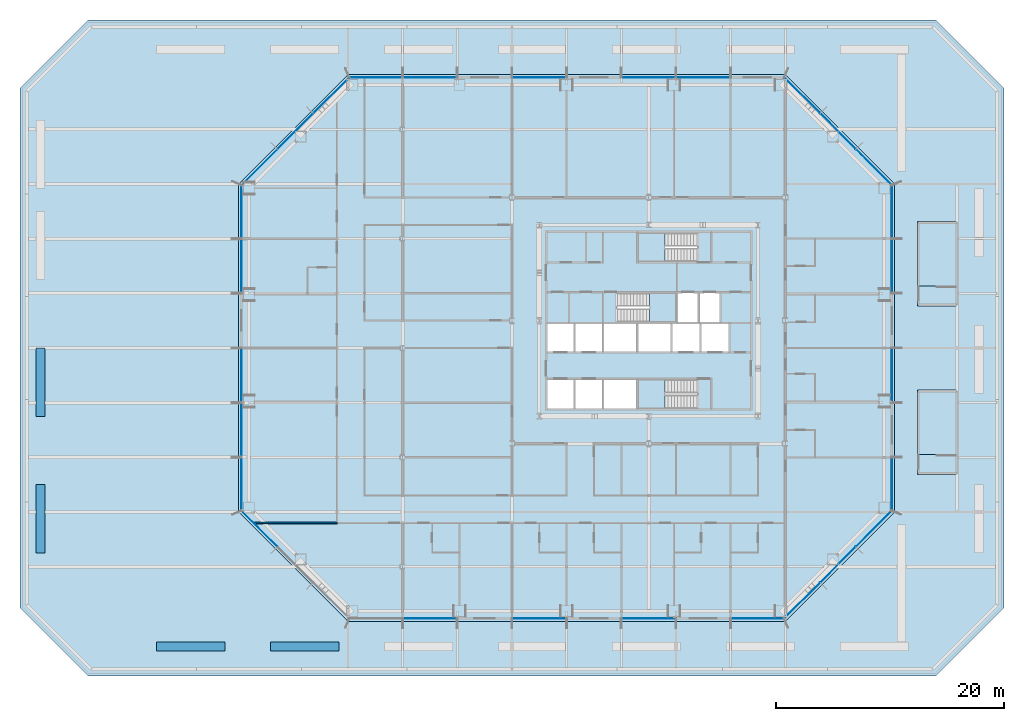
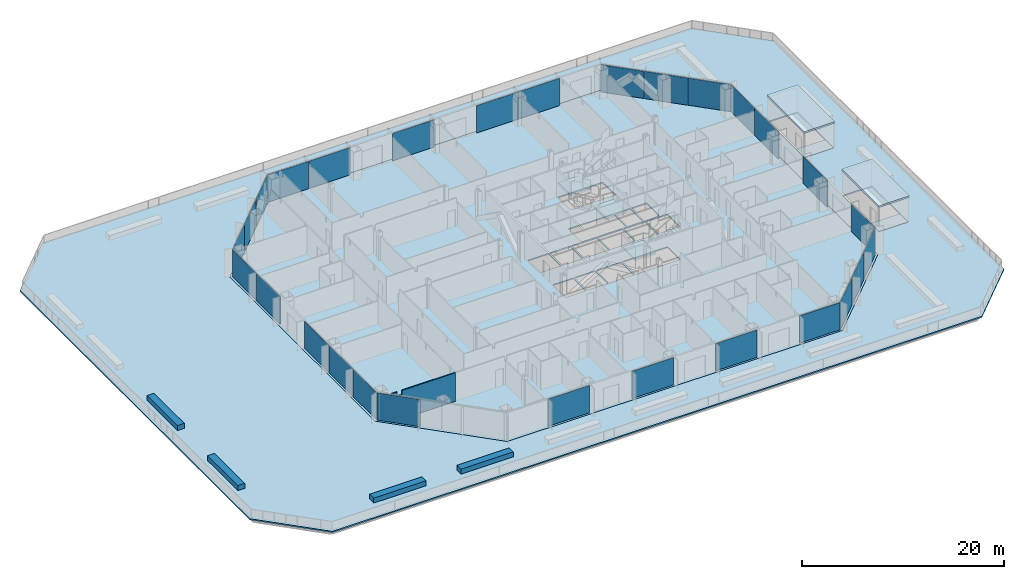
# One storey, part 7 of 18: 28 plates, 9 slabs, 5 walls, 11 elements without a shape of their own.
"""IFC4 building model written with IfcOpenShell, lengths in metres."""

import ifcopenshell
import ifcopenshell.guid

model = None  # the IFC model being written
_history = None  # IfcOwnerHistory: only IFC2X3 demands one
_inside = {}  # id of a spatial element -> (the spatial element, [elements in it])
_under = {}  # id of a project, library or spatial element -> (it, [spatial elements below it])
_declared = {}  # id of a project -> (the project, [libraries it declares])
_typed = {}  # id of a type object -> (the type object, [elements of that type])
_made_of = {}  # id of a material, layer set ... -> (it, [elements and type objects made of it])


def new_model(schema):
    """Start an empty IFC model of exactly this schema.

    Asked for "IFC4X3", IfcOpenShell would pick the latest addendum, in which some entities
    have other attributes; the version numbers below select the first issue.
    IFC2X3 requires an IfcOwnerHistory on every rooted entity: one is made here for all.
    """
    global model, _history
    if schema == "IFC4X3":
        model = ifcopenshell.file(schema_version=(4, 3, 0, 0))
    else:
        model = ifcopenshell.file(schema=schema)
    _inside.clear()
    _under.clear()
    _declared.clear()
    _typed.clear()
    _made_of.clear()
    _history = None
    if model.schema == "IFC2X3":
        org = make("IfcOrganization", Name="unknown")
        user = make(
            "IfcPersonAndOrganization",
            ThePerson=make("IfcPerson", FamilyName="unknown"),
            TheOrganization=org,
        )
        app = make(
            "IfcApplication",
            ApplicationDeveloper=org,
            Version="unknown",
            ApplicationFullName="unknown",
            ApplicationIdentifier="unknown",
        )
        _history = make(
            "IfcOwnerHistory",
            OwningUser=user,
            OwningApplication=app,
            ChangeAction="ADDED",
            CreationDate=0,
        )
    return model


def make(cls, **values):
    """One entity of the class cls with the attributes given. An attribute that is None is left unset."""
    return model.create_entity(
        cls, **{name: value for name, value in values.items() if value is not None}
    )


def rooted(cls, **values):
    """An entity with a GlobalId (a new one), such as an element, a storey or a relation."""
    return make(cls, GlobalId=ifcopenshell.guid.new(), OwnerHistory=_history, **values)


def si_unit(unit_type, name, prefix=None):
    """IfcSIUnit, for example si_unit("LENGTHUNIT", "METRE", prefix="MILLI")."""
    return make("IfcSIUnit", UnitType=unit_type, Prefix=prefix, Name=name)


def assignment(units):
    """IfcUnitAssignment: the units of a project."""
    return None if units is None else make("IfcUnitAssignment", Units=units)


def point(xyz):
    """IfcCartesianPoint."""
    return None if xyz is None else make("IfcCartesianPoint", Coordinates=xyz)


def direction(xyz):
    """IfcDirection."""
    return None if xyz is None else make("IfcDirection", DirectionRatios=xyz)


def frame(location, z_axis=None, x_axis=None):
    """IfcAxis2Placement3D, a coordinate frame: its origin and axes. An axis left out is left unset."""
    return make(
        "IfcAxis2Placement3D",
        Location=point(location),
        Axis=direction(z_axis),
        RefDirection=direction(x_axis),
    )


def frame_2d(location, x_axis=None):
    """IfcAxis2Placement2D, a coordinate frame in the plane: its origin and x axis."""
    return make(
        "IfcAxis2Placement2D", Location=point(location), RefDirection=direction(x_axis)
    )


def origin():
    """The frame at (0, 0, 0) with its axes left unset."""
    return frame((0.0, 0.0, 0.0))


def origin_2d():
    """The frame at (0, 0) in the plane with its x axis left unset."""
    return frame_2d((0.0, 0.0))


def place(relative_to, where):
    """IfcLocalPlacement: puts the frame where relative to a parent placement (None: the world)."""
    return make(
        "IfcLocalPlacement", PlacementRelTo=relative_to, RelativePlacement=where
    )


def context(
    kind, dimensions, precision=None, world=None, true_north=None, identifier=None
):
    """IfcGeometricRepresentationContext, for example the 3D "Model" context."""
    return make(
        "IfcGeometricRepresentationContext",
        ContextIdentifier=identifier,
        ContextType=kind,
        CoordinateSpaceDimension=dimensions,
        Precision=precision,
        WorldCoordinateSystem=world,
        TrueNorth=true_north,
    )


def subcontext(parent, identifier, kind, view, scale=None):
    """IfcGeometricRepresentationSubContext, for example "Body" below "Model"."""
    return make(
        "IfcGeometricRepresentationSubContext",
        ContextIdentifier=identifier,
        ContextType=kind,
        ParentContext=parent,
        TargetScale=scale,
        TargetView=view,
    )


def project(units=None, contexts=None):
    """IfcProject with its units and contexts."""
    return rooted(
        "IfcProject",
        Name="project",
        RepresentationContexts=contexts,
        UnitsInContext=assignment(units),
    )


def spatial(cls, under=None, at=None, **own):
    """A site, building, storey or space (cls), placed at a placement, below another one or the project."""
    s = rooted(cls, ObjectPlacement=at, **own)
    if under is not None:
        _under.setdefault(under.id(), (under, []))[1].append(s)
    return s


def polyline(points):
    """IfcPolyline through the points."""
    return make("IfcPolyline", Points=[point(p) for p in points])


def profile(cls, at=None, kind="AREA", **sizes):
    """A parametric profile (cls). Its sizes go by their IFC names, for example OverallWidth=200.0."""
    return make(cls, ProfileType=kind, Position=at, **sizes)


def rectangle(**sizes):
    """IfcRectangleProfileDef."""
    return profile("IfcRectangleProfileDef", **sizes)


def outline(outer, holes=None, kind="AREA"):
    """IfcArbitraryClosedProfileDef: a profile drawn as a closed curve; with holes, ...WithVoids."""
    if holes is None:
        return make("IfcArbitraryClosedProfileDef", ProfileType=kind, OuterCurve=outer)
    return make(
        "IfcArbitraryProfileDefWithVoids",
        ProfileType=kind,
        OuterCurve=outer,
        InnerCurves=holes,
    )


def extrude(swept, where, along, depth):
    """IfcExtrudedAreaSolid: the profile swept, set in the frame where, extruded along a direction by depth."""
    return make(
        "IfcExtrudedAreaSolid",
        SweptArea=swept,
        Position=where,
        ExtrudedDirection=direction(along),
        Depth=depth,
    )


def shape(context_of_items, identifier, shape_type, items):
    """IfcShapeRepresentation: the items that make up one representation, for example the "Body"."""
    return make(
        "IfcShapeRepresentation",
        ContextOfItems=context_of_items,
        RepresentationIdentifier=identifier,
        RepresentationType=shape_type,
        Items=items,
    )


def material(Name=None, Category=None):
    """IfcMaterial."""
    return make("IfcMaterial", Name=Name, Category=Category)


def layer(
    of_material, thickness, ventilated=None, Name=None, Category=None, Priority=None
):
    """IfcMaterialLayer: one layer of a wall or slab, of a material (None: an air gap)."""
    return make(
        "IfcMaterialLayer",
        Material=of_material,
        LayerThickness=thickness,
        IsVentilated=ventilated,
        Name=Name,
        Category=Category,
        Priority=Priority,
    )


def layer_set(layers, Name=None):
    """IfcMaterialLayerSet."""
    return make("IfcMaterialLayerSet", MaterialLayers=layers, LayerSetName=Name)


def made_of(thing, what):
    """Note that an element or type object is made of a material, layer set ...; save() writes the relation."""
    if what is not None:
        _made_of.setdefault(what.id(), (what, []))[1].append(thing)
    return thing


def type_object(cls, material=None, **own):
    """A type object (cls), such as IfcWallType, which elements share."""
    return made_of(rooted(cls, **own), material)


def element(
    cls,
    number,
    at=None,
    inside=None,
    cuts=None,
    type_object=None,
    material=None,
    context=None,
    identifier="Body",
    shape_type=None,
    held_by="IfcProductDefinitionShape",
    body=None,
    shapes=None,
    **own,
):
    """One element of the class cls, such as IfcWall. Its Tag is "e" and its number.

    at: its placement. inside: the storey or other place that contains it. cuts: it is an
    opening in that element (IfcRelVoidsElement). A single representation is given by context,
    identifier, shape_type and body (its items); several are given by shapes. held_by: the class
    of the entity that holds the representations. save() writes the other relations.
    """
    e = rooted(cls, Tag="e%d" % number, ObjectPlacement=at, **own)
    if body is not None:
        shapes = [shape(context, identifier, shape_type, body)]
    if shapes is not None:
        e.Representation = make(held_by, Representations=shapes)
    if inside is not None:
        _inside.setdefault(inside.id(), (inside, []))[1].append(e)
    if cuts is not None:
        rooted(
            "IfcRelVoidsElement", RelatingBuildingElement=cuts, RelatedOpeningElement=e
        )
    if type_object is not None:
        _typed.setdefault(type_object.id(), (type_object, []))[1].append(e)
    return made_of(e, material)


def aggregate(whole, parts):
    """IfcRelAggregates: a whole, such as a stair, and the parts it consists of."""
    return rooted("IfcRelAggregates", RelatingObject=whole, RelatedObjects=parts)


def save(model, path):
    """Write the relations noted so far, then the file.

    IfcRelAggregates (storeys below a building ...), IfcRelContainedInSpatialStructure (elements
    in a storey), IfcRelDefinesByType, IfcRelAssociatesMaterial and IfcRelDeclares: one each for
    every whole, place, type object, material and project.
    """
    for whole, parts in _under.values():
        aggregate(whole, parts)
    for where, things in _inside.values():
        rooted(
            "IfcRelContainedInSpatialStructure",
            RelatedElements=things,
            RelatingStructure=where,
        )
    for kind, things in _typed.values():
        rooted("IfcRelDefinesByType", RelatedObjects=things, RelatingType=kind)
    for what, things in _made_of.values():
        rooted("IfcRelAssociatesMaterial", RelatedObjects=things, RelatingMaterial=what)
    for by, libraries in _declared.values():
        rooted("IfcRelDeclares", RelatingContext=by, RelatedDefinitions=libraries)
    model.write(path)


model = new_model("IFC4")

# Units and contexts
model_context = context("Model", 3, precision=1e-05, world=origin(), true_north=direction((0.0, 1.0)))
body_context = subcontext(model_context, "Body", "Model", "MODEL_VIEW")
ifc_project = project(units=[si_unit("LENGTHUNIT", "METRE"), si_unit("AREAUNIT", "SQUARE_METRE"), si_unit("VOLUMEUNIT", "CUBIC_METRE"), si_unit("PLANEANGLEUNIT", "RADIAN"), si_unit("MASSUNIT", "GRAM", prefix="KILO")], contexts=[model_context])

# Site, building, storey
site_placement = place(None, origin())
site = spatial("IfcSite", under=ifc_project, at=site_placement, CompositionType="ELEMENT")
building_placement = place(site_placement, origin())
building = spatial("IfcBuilding", under=site, at=building_placement, Name="Cairn Pilgrim Tower", CompositionType="ELEMENT")
storey_placement = place(building_placement, frame((0.0, 0.0, 40.199951171875)))
storey = spatial("IfcBuildingStorey", under=building, at=storey_placement, Name="L07", CompositionType="ELEMENT", Elevation=40.199951171875)

# Slabs
ifc_material_1 = material(Name="Concrete C35/45", Category="concrete")
ifc_layer_1 = layer(ifc_material_1, 0.14990234375)
ifc_layer_set_1 = layer_set([ifc_layer_1], Name="COMPOSITE FLOOR SLAB 150")
slab_type_1 = type_object("IfcSlabType", Name="COMPOSITE FLOOR SLAB 150", PredefinedType="FLOOR", material=ifc_layer_set_1)
slab_1_placement = place(storey_placement, frame((0.0, 0.0, -0.14990234375)))
element("IfcSlab", 1, at=slab_1_placement, inside=storey, type_object=slab_type_1, Name="FLOOR SLAB L07", PredefinedType="FLOOR", context=body_context, shape_type="SweptSolid", body=[
    extrude(outline(polyline([(-19.199951171875, -24.0), (19.199951171875, -24.0), (28.800048828125, -14.39990234375), (28.800048828125, 14.39990234375), (19.199951171875, 24.0), (-19.199951171875, 24.0), (-28.800048828125, 14.39990234375), (-28.800048828125, -14.39990234375), (-19.199951171875, -24.0)]), holes=[polyline([(-1.72509765625, -5.300048828125), (0.625, -5.300048828125), (0.625, -2.77490234375), (-1.72509765625, -2.77490234375), (-1.72509765625, -5.300048828125)]), polyline([(0.77490234375, -5.300048828125), (3.125, -5.300048828125), (3.125, -2.77490234375), (0.77490234375, -2.77490234375), (0.77490234375, -5.300048828125)]), polyline([(-1.72509765625, -0.324951171875), (0.625, -0.324951171875), (0.625, 2.125), (-1.72509765625, 2.125), (-1.72509765625, -0.324951171875)]), polyline([(0.77490234375, -0.324951171875), (3.125, -0.324951171875), (3.125, 2.125), (0.77490234375, 2.125), (0.77490234375, -0.324951171875)]), polyline([(3.27490234375, -5.300048828125), (6.125, -5.300048828125), (6.125, -2.77490234375), (3.27490234375, -2.77490234375), (3.27490234375, -5.300048828125)]), polyline([(3.27490234375, -0.324951171875), (6.125, -0.324951171875), (6.125, 2.125), (3.27490234375, 2.125), (3.27490234375, -0.324951171875)]), polyline([(6.27490234375, -0.324951171875), (9.125, -0.324951171875), (9.125, 2.125), (6.27490234375, 2.125), (6.27490234375, -0.324951171875)]), polyline([(9.27490234375, -0.324951171875), (11.675048828125, -0.324951171875), (11.675048828125, 2.125), (9.27490234375, 2.125), (9.27490234375, -0.324951171875)]), polyline([(11.824951171875, -0.324951171875), (14.22509765625, -0.324951171875), (14.22509765625, 2.125), (11.824951171875, 2.125), (11.824951171875, -0.324951171875)]), polyline([(9.77490234375, 2.27490234375), (11.52490234375, 2.27490234375), (11.52490234375, 4.824951171875), (9.77490234375, 4.824951171875), (9.77490234375, 2.27490234375)]), polyline([(11.675048828125, 2.27490234375), (13.425048828125, 2.27490234375), (13.425048828125, 4.824951171875), (11.675048828125, 4.824951171875), (11.675048828125, 2.27490234375)]), polyline([(11.424560546875, -2.77490234375), (6.27490234375, -2.77490234375), (6.27490234375, -5.300048828125), (11.424560546875, -5.300048828125), (11.424560546875, -2.77490234375)]), polyline([(4.4755859375, 2.27490234375), (9.625, 2.27490234375), (9.625, 4.824951171875), (4.4755859375, 4.824951171875), (4.4755859375, 2.27490234375)]), polyline([(11.424560546875, 10.10009765625), (6.27490234375, 10.10009765625), (6.27490234375, 7.574951171875), (11.424560546875, 7.574951171875), (11.424560546875, 10.10009765625)])]), origin(), (0.0, 0.0, 1.0), 0.14990234375),
])
ifc_layer_2 = layer(ifc_material_1, 0.14990234375)
ifc_layer_set_2 = layer_set([ifc_layer_2], Name="PODIUM GREEN ROOF SLAB 150")
slab_type_2 = type_object("IfcSlabType", Name="PODIUM GREEN ROOF SLAB 150", PredefinedType="ROOF", material=ifc_layer_set_2)
slab_2_placement = place(storey_placement, frame((0.0, 0.0, -0.14990234375)))
element("IfcSlab", 2, at=slab_2_placement, inside=storey, type_object=slab_type_2, Name="PODIUM GREEN ROOF SLAB", PredefinedType="ROOF", context=body_context, shape_type="SweptSolid", body=[
    extrude(outline(polyline([(-48.0, 22.800048828125), (-48.0, -22.800048828125), (-42.0, -28.800048828125), (32.39990234375, -28.800048828125), (38.39990234375, -22.800048828125), (38.39990234375, 22.800048828125), (32.39990234375, 28.800048828125), (-42.0, 28.800048828125), (-48.0, 22.800048828125)]), holes=[polyline([(28.800048828125, -14.39990234375), (19.199951171875, -24.0), (-19.199951171875, -24.0), (-28.800048828125, -14.39990234375), (-28.800048828125, 14.39990234375), (-19.199951171875, 24.0), (19.199951171875, 24.0), (28.800048828125, 14.39990234375), (28.800048828125, -14.39990234375)]), polyline([(34.25, -3.800048828125), (34.25, -11.0), (30.89990234375, -11.0), (30.89990234375, -3.800048828125), (34.25, -3.800048828125)]), polyline([(34.25, 3.800048828125), (30.89990234375, 3.800048828125), (30.89990234375, 11.0), (34.25, 11.0), (34.25, 3.800048828125)])]), origin(), (0.0, 0.0, 1.0), 0.14990234375),
])
ifc_layer_3 = layer(ifc_material_1, 0.14990234375)
ifc_layer_set_3 = layer_set([ifc_layer_3], Name="PODIUM HEAD-HOUSE FLOOR SLAB 150")
slab_type_3 = type_object("IfcSlabType", Name="PODIUM HEAD-HOUSE FLOOR SLAB 150", PredefinedType="FLOOR", material=ifc_layer_set_3)
slab_3_placement = place(storey_placement, frame((0.0, 0.0, -0.14990234375)))
element("IfcSlab", 3, at=slab_3_placement, inside=storey, type_object=slab_type_3, Name="ES2 STAIR HEAD-HOUSE FLOOR", PredefinedType="FLOOR", context=body_context, shape_type="SweptSolid", body=[
    extrude(outline(polyline([(30.89990234375, -11.0), (34.25, -11.0), (34.25, -9.349609375), (30.89990234375, -9.349609375), (30.89990234375, -11.0)])), origin(), (0.0, 0.0, 1.0), 0.14990234375),
])
slab_4_placement = place(storey_placement, frame((0.0, 0.0, -0.14990234375)))
element("IfcSlab", 4, at=slab_4_placement, inside=storey, type_object=slab_type_3, Name="ES3 STAIR HEAD-HOUSE FLOOR", PredefinedType="FLOOR", context=body_context, shape_type="SweptSolid", body=[
    extrude(outline(polyline([(30.89990234375, 3.800048828125), (34.25, 3.800048828125), (34.25, 5.450439453125), (30.89990234375, 5.450439453125), (30.89990234375, 3.800048828125)])), origin(), (0.0, 0.0, 1.0), 0.14990234375),
])
ifc_layer_4 = layer(ifc_material_1, 0.199951171875)
ifc_layer_set_4 = layer_set([ifc_layer_4], Name="PODIUM STAIR HEAD ROOF 200")
slab_type_4 = type_object("IfcSlabType", Name="PODIUM STAIR HEAD ROOF 200", PredefinedType="ROOF", material=ifc_layer_set_4)
slab_5_placement = place(storey_placement, frame((0.0, 0.0, 3.0)))
element("IfcSlab", 5, at=slab_5_placement, inside=storey, type_object=slab_type_4, Name="ES2 STAIR HEAD-HOUSE ROOF", PredefinedType="ROOF", context=body_context, shape_type="SweptSolid", body=[
    extrude(outline(polyline([(30.800048828125, -11.10009765625), (34.35009765625, -11.10009765625), (34.35009765625, -3.699951171875), (30.800048828125, -3.699951171875), (30.800048828125, -11.10009765625)])), origin(), (0.0, 0.0, 1.0), 0.199951171875),
])
slab_6_placement = place(storey_placement, frame((0.0, 0.0, 3.0)))
element("IfcSlab", 6, at=slab_6_placement, inside=storey, type_object=slab_type_4, Name="ES3 STAIR HEAD-HOUSE ROOF", PredefinedType="ROOF", context=body_context, shape_type="SweptSolid", body=[
    extrude(outline(polyline([(30.800048828125, 3.699951171875), (34.35009765625, 3.699951171875), (34.35009765625, 11.10009765625), (30.800048828125, 11.10009765625), (30.800048828125, 3.699951171875)])), origin(), (0.0, 0.0, 1.0), 0.199951171875),
])

# Curtain wall, plate
ifc_material_2 = material(Name="Aluminium alloy 6063-T6 bronze anodised with Bronze tinted laminated low-E glass 8+16+8.8", Category="aluminium")
curtain_wall_type_1 = type_object("IfcCurtainWallType", Name="CHAMFER CORNER CURTAIN WALL", PredefinedType="NOTDEFINED", material=ifc_material_2)
curtain_wall_1_placement = place(storey_placement, origin())
curtain_wall_1 = element("IfcCurtainWall", 7, at=curtain_wall_1_placement, inside=storey, type_object=curtain_wall_type_1, Name="Chamfer Corner Curtain Wall SE", PredefinedType="NOTDEFINED")
ifc_material_3 = material(Name="Bronze anodised aluminium spandrel panel with mineral wool insulation", Category="aluminium")
ifc_layer_5 = layer(ifc_material_3, 0.06005859375)
ifc_layer_set_5 = layer_set([ifc_layer_5], Name="SPANDREL PANEL 4386x3300")
plate_type_1 = type_object("IfcPlateType", Name="SPANDREL PANEL 4386x3300", PredefinedType="CURTAIN_PANEL", material=ifc_layer_set_5)
plate_1_placement = place(storey_placement, frame((20.675537109375, -22.1708984375, 0.0), z_axis=(0.0, 0.0, 1.0), x_axis=(0.707106781187, 0.707106781187, 0.0)))
plate_1 = element("IfcPlate", 8, at=plate_1_placement, type_object=plate_type_1, Name="Spandrel Panel SE1-1", PredefinedType="CURTAIN_PANEL", context=body_context, shape_type="SweptSolid", body=[
    extrude(rectangle(XDim=4.386474609375, YDim=0.06005859375, at=origin_2d()), origin(), (0.0, 0.0, 1.0), 3.300048828125),
])

curtain_wall_2_placement = place(storey_placement, origin())
curtain_wall_2 = element("IfcCurtainWall", 9, at=curtain_wall_2_placement, inside=storey, type_object=curtain_wall_type_1, Name="Chamfer Corner Curtain Wall NE", PredefinedType="NOTDEFINED")
plate_2_placement = place(storey_placement, frame((20.675537109375, 22.1708984375, 0.0), z_axis=(0.0, 0.0, 1.0), x_axis=(-0.707106781187, 0.707106781187, 0.0)))
plate_2 = element("IfcPlate", 10, at=plate_2_placement, type_object=plate_type_1, Name="Spandrel Panel NE3-1", PredefinedType="CURTAIN_PANEL", context=body_context, shape_type="SweptSolid", body=[
    extrude(rectangle(XDim=4.386474609375, YDim=0.06005859375, at=origin_2d()), origin(), (0.0, 0.0, 1.0), 3.300048828125),
])

curtain_wall_3_placement = place(storey_placement, origin())
curtain_wall_3 = element("IfcCurtainWall", 11, at=curtain_wall_3_placement, inside=storey, type_object=curtain_wall_type_1, Name="Chamfer Corner Curtain Wall NW", PredefinedType="NOTDEFINED")
plate_3_placement = place(storey_placement, frame((-20.675537109375, 22.1708984375, 0.0), z_axis=(0.0, 0.0, 1.0), x_axis=(-0.707106781187, -0.707106781187, 0.0)))
plate_3 = element("IfcPlate", 12, at=plate_3_placement, type_object=plate_type_1, Name="Spandrel Panel NW1-1", PredefinedType="CURTAIN_PANEL", context=body_context, shape_type="SweptSolid", body=[
    extrude(rectangle(XDim=4.386474609375, YDim=0.06005859375, at=origin_2d()), origin(), (0.0, 0.0, 1.0), 3.300048828125),
])

# Plate
ifc_layer_6 = layer(ifc_material_3, 0.06005859375)
ifc_layer_set_6 = layer_set([ifc_layer_6], Name="SPANDREL PANEL 4396x3300")
plate_type_2 = type_object("IfcPlateType", Name="SPANDREL PANEL 4396x3300", PredefinedType="CURTAIN_PANEL", material=ifc_layer_set_6)
plate_4_placement = place(storey_placement, frame((23.8232421875, -19.023193359375, 0.0), z_axis=(0.0, 0.0, 1.0), x_axis=(0.707106781187, 0.707106781187, 0.0)))
plate_4 = element("IfcPlate", 13, at=plate_4_placement, type_object=plate_type_2, Name="Spandrel Panel SE2-1", PredefinedType="CURTAIN_PANEL", context=body_context, shape_type="SweptSolid", body=[
    extrude(rectangle(XDim=4.396484375, YDim=0.06005859375, at=origin_2d()), origin(), (0.0, 0.0, 1.0), 3.300048828125),
])

plate_5_placement = place(storey_placement, frame((23.8232421875, 19.023193359375, 0.0), z_axis=(0.0, 0.0, 1.0), x_axis=(-0.707106781187, 0.707106781187, 0.0)))
plate_5 = element("IfcPlate", 14, at=plate_5_placement, type_object=plate_type_2, Name="Spandrel Panel NE2-1", PredefinedType="CURTAIN_PANEL", context=body_context, shape_type="SweptSolid", body=[
    extrude(rectangle(XDim=4.396484375, YDim=0.06005859375, at=origin_2d()), origin(), (0.0, 0.0, 1.0), 3.300048828125),
])

plate_6_placement = place(storey_placement, frame((-23.8232421875, 19.023193359375, 0.0), z_axis=(0.0, 0.0, 1.0), x_axis=(-0.707106781187, -0.707106781187, 0.0)))
plate_6 = element("IfcPlate", 15, at=plate_6_placement, type_object=plate_type_2, Name="Spandrel Panel NW2-1", PredefinedType="CURTAIN_PANEL", context=body_context, shape_type="SweptSolid", body=[
    extrude(rectangle(XDim=4.396484375, YDim=0.06005859375, at=origin_2d()), origin(), (0.0, 0.0, 1.0), 3.300048828125),
])

# Curtain wall, plate
curtain_wall_type_2 = type_object("IfcCurtainWallType", Name="TOWER STICK CURTAIN WALL NS", PredefinedType="NOTDEFINED", material=ifc_material_2)
curtain_wall_4_placement = place(storey_placement, origin())
curtain_wall_4 = element("IfcCurtainWall", 16, at=curtain_wall_4_placement, inside=storey, type_object=curtain_wall_type_2, Name="Tower Stick Curtain Wall Ns S", PredefinedType="NOTDEFINED")
ifc_layer_7 = layer(ifc_material_3, 0.06005859375)
ifc_layer_set_7 = layer_set([ifc_layer_7], Name="SPANDREL PANEL 4626x3300")
plate_type_3 = type_object("IfcPlateType", Name="SPANDREL PANEL 4626x3300", PredefinedType="CURTAIN_PANEL", material=ifc_layer_set_7)
plate_7_placement = place(storey_placement, frame((16.7431640625, -23.75, 0.0), z_axis=(0.0, 0.0, 1.0), x_axis=(1.0, 0.0, 0.0)))
plate_7 = element("IfcPlate", 17, at=plate_7_placement, type_object=plate_type_3, Name="Spandrel Panel S8-1", PredefinedType="CURTAIN_PANEL", context=body_context, shape_type="SweptSolid", body=[
    extrude(rectangle(XDim=4.62646484375, YDim=0.06005859375, at=origin_2d()), origin(), (0.0, 0.0, 1.0), 3.300048828125),
])

curtain_wall_5_placement = place(storey_placement, origin())
curtain_wall_5 = element("IfcCurtainWall", 18, at=curtain_wall_5_placement, inside=storey, type_object=curtain_wall_type_2, Name="Tower Stick Curtain Wall Ns N", PredefinedType="NOTDEFINED")
plate_8_placement = place(storey_placement, frame((-16.7431640625, 23.75, 0.0), z_axis=(0.0, 0.0, 1.0), x_axis=(-1.0, 0.0, 0.0)))
plate_8 = element("IfcPlate", 19, at=plate_8_placement, type_object=plate_type_3, Name="Spandrel Panel N8-1", PredefinedType="CURTAIN_PANEL", context=body_context, shape_type="SweptSolid", body=[
    extrude(rectangle(XDim=4.62646484375, YDim=0.06005859375, at=origin_2d()), origin(), (0.0, 0.0, 1.0), 3.300048828125),
])

# Stair, slab
ifc_material_4 = material(Name="Concrete C32/40", Category="concrete")
stair_type = type_object("IfcStairType", Name="EXIT STAIR 1200", PredefinedType="HALF_TURN_STAIR", material=ifc_material_4)
stair_1_placement = place(storey_placement, origin())
stair_1 = element("IfcStair", 20, at=stair_1_placement, inside=storey, type_object=stair_type, Name="L07 Exit Stair A", PredefinedType="HALF_TURN_STAIR")
ifc_layer_8 = layer(ifc_material_4, 0.199951171875)
ifc_layer_set_8 = layer_set([ifc_layer_8], Name="STAIR LANDING 200")
slab_type_5 = type_object("IfcSlabType", Name="STAIR LANDING 200", PredefinedType="LANDING", material=ifc_layer_set_8)
slab_7_placement = place(storey_placement, frame((0.0, 0.0, 1.60009765625)))
slab_7 = element("IfcSlab", 21, at=slab_7_placement, type_object=slab_type_5, Name="ST-A landing 1", PredefinedType="LANDING", context=body_context, shape_type="SweptSolid", body=[
    extrude(outline(polyline([(8.625, -2.77490234375), (6.27490234375, -2.77490234375), (6.27490234375, -5.300048828125), (8.625, -5.300048828125), (8.625, -2.77490234375)])), origin(), (0.0, 0.0, 1.0), 0.199951171875),
])
aggregate(stair_1, [slab_7])

stair_2_placement = place(storey_placement, origin())
stair_2 = element("IfcStair", 22, at=stair_2_placement, inside=storey, type_object=stair_type, Name="L07 Exit Stair B", PredefinedType="HALF_TURN_STAIR")
slab_8_placement = place(storey_placement, frame((0.0, 0.0, 1.60009765625)))
slab_8 = element("IfcSlab", 23, at=slab_8_placement, type_object=slab_type_5, Name="ST-B landing 1", PredefinedType="LANDING", context=body_context, shape_type="SweptSolid", body=[
    extrude(outline(polyline([(7.27490234375, 2.27490234375), (9.625, 2.27490234375), (9.625, 4.824951171875), (7.27490234375, 4.824951171875), (7.27490234375, 2.27490234375)])), origin(), (0.0, 0.0, 1.0), 0.199951171875),
])
aggregate(stair_2, [slab_8])

stair_3_placement = place(storey_placement, origin())
stair_3 = element("IfcStair", 24, at=stair_3_placement, inside=storey, type_object=stair_type, Name="L07 Exit Stair C", PredefinedType="HALF_TURN_STAIR")
slab_9_placement = place(storey_placement, frame((0.0, 0.0, 1.60009765625)))
slab_9 = element("IfcSlab", 25, at=slab_9_placement, type_object=slab_type_5, Name="ST-C landing 1", PredefinedType="LANDING", context=body_context, shape_type="SweptSolid", body=[
    extrude(outline(polyline([(8.625, 10.10009765625), (6.27490234375, 10.10009765625), (6.27490234375, 7.574951171875), (8.625, 7.574951171875), (8.625, 10.10009765625)])), origin(), (0.0, 0.0, 1.0), 0.199951171875),
])
aggregate(stair_3, [slab_9])

# Plate
ifc_material_5 = material(Name="Bronze tinted laminated low-E glass 8+16+8.8", Category="glass")
ifc_layer_9 = layer(ifc_material_5, 0.033935546875)
ifc_layer_set_9 = layer_set([ifc_layer_9], Name="VISION GLAZING 4386x3300")
plate_type_4 = type_object("IfcPlateType", Name="VISION GLAZING 4386x3300", PredefinedType="CURTAIN_PANEL", material=ifc_layer_set_9)
plate_9_placement = place(storey_placement, frame((26.970947265625, -15.87548828125, 0.0), z_axis=(0.0, 0.0, 1.0), x_axis=(0.707106781187, 0.707106781187, 0.0)))
plate_9 = element("IfcPlate", 26, at=plate_9_placement, type_object=plate_type_4, Name="Vision Glazing SE3-1", PredefinedType="CURTAIN_PANEL", context=body_context, shape_type="SweptSolid", body=[
    extrude(rectangle(XDim=4.386474609375, YDim=0.033935546875, at=origin_2d()), origin(), (0.0, 0.0, 1.0), 3.300048828125),
])

aggregate(curtain_wall_1, [plate_1, plate_4, plate_9])

plate_10_placement = place(storey_placement, frame((26.970947265625, 15.87548828125, 0.0), z_axis=(0.0, 0.0, 1.0), x_axis=(-0.707106781187, 0.707106781187, 0.0)))
plate_10 = element("IfcPlate", 27, at=plate_10_placement, type_object=plate_type_4, Name="Vision Glazing NE1-1", PredefinedType="CURTAIN_PANEL", context=body_context, shape_type="SweptSolid", body=[
    extrude(rectangle(XDim=4.386474609375, YDim=0.033935546875, at=origin_2d()), origin(), (0.0, 0.0, 1.0), 3.300048828125),
])

aggregate(curtain_wall_2, [plate_10, plate_5, plate_2])

plate_11_placement = place(storey_placement, frame((-26.970947265625, 15.87548828125, 0.0), z_axis=(0.0, 0.0, 1.0), x_axis=(-0.707106781187, -0.707106781187, 0.0)))
plate_11 = element("IfcPlate", 28, at=plate_11_placement, type_object=plate_type_4, Name="Vision Glazing NW3-1", PredefinedType="CURTAIN_PANEL", context=body_context, shape_type="SweptSolid", body=[
    extrude(rectangle(XDim=4.386474609375, YDim=0.033935546875, at=origin_2d()), origin(), (0.0, 0.0, 1.0), 3.300048828125),
])

aggregate(curtain_wall_3, [plate_3, plate_6, plate_11])

# Curtain wall, plate
curtain_wall_6_placement = place(storey_placement, origin())
curtain_wall_6 = element("IfcCurtainWall", 29, at=curtain_wall_6_placement, inside=storey, type_object=curtain_wall_type_1, Name="Chamfer Corner Curtain Wall SW", PredefinedType="NOTDEFINED")
plate_12_placement = place(storey_placement, frame((-26.970947265625, -15.87548828125, 0.0), z_axis=(0.0, 0.0, 1.0), x_axis=(0.707106781187, -0.707106781187, 0.0)))
plate_12 = element("IfcPlate", 30, at=plate_12_placement, type_object=plate_type_4, Name="Vision Glazing SW1-1", PredefinedType="CURTAIN_PANEL", context=body_context, shape_type="SweptSolid", body=[
    extrude(rectangle(XDim=4.386474609375, YDim=0.033935546875, at=origin_2d()), origin(), (0.0, 0.0, 1.0), 3.300048828125),
])
aggregate(curtain_wall_6, [plate_12])

# Curtain wall, plates
curtain_wall_type_3 = type_object("IfcCurtainWallType", Name="TOWER STICK CURTAIN WALL EW", PredefinedType="NOTDEFINED", material=ifc_material_2)
curtain_wall_7_placement = place(storey_placement, origin())
curtain_wall_7 = element("IfcCurtainWall", 31, at=curtain_wall_7_placement, inside=storey, type_object=curtain_wall_type_3, Name="Tower Stick Curtain Wall Ew E", PredefinedType="NOTDEFINED")
ifc_layer_10 = layer(ifc_material_5, 0.033935546875)
ifc_layer_set_10 = layer_set([ifc_layer_10], Name="VISION GLAZING 4626x3300")
plate_type_5 = type_object("IfcPlateType", Name="VISION GLAZING 4626x3300", PredefinedType="CURTAIN_PANEL", material=ifc_layer_set_10)
plate_13_placement = place(storey_placement, frame((28.550048828125, -11.943115234375, 0.0), z_axis=(0.0, 0.0, 1.0), x_axis=(0.0, 1.0, 0.0)))
plate_13 = element("IfcPlate", 32, at=plate_13_placement, type_object=plate_type_5, Name="Vision Glazing E1-1", PredefinedType="CURTAIN_PANEL", context=body_context, shape_type="SweptSolid", body=[
    extrude(rectangle(XDim=4.62646484375, YDim=0.033935546875, at=origin_2d()), origin(), (0.0, 0.0, 1.0), 3.300048828125),
])
plate_14_placement = place(storey_placement, frame((28.550048828125, 11.943115234375, 0.0), z_axis=(0.0, 0.0, 1.0), x_axis=(0.0, 1.0, 0.0)))
plate_14 = element("IfcPlate", 33, at=plate_14_placement, type_object=plate_type_5, Name="Vision Glazing E6-1", PredefinedType="CURTAIN_PANEL", context=body_context, shape_type="SweptSolid", body=[
    extrude(rectangle(XDim=4.62646484375, YDim=0.033935546875, at=origin_2d()), origin(), (0.0, 0.0, 1.0), 3.300048828125),
])

curtain_wall_8_placement = place(storey_placement, origin())
curtain_wall_8 = element("IfcCurtainWall", 34, at=curtain_wall_8_placement, inside=storey, type_object=curtain_wall_type_3, Name="Tower Stick Curtain Wall Ew W", PredefinedType="NOTDEFINED")
plate_15_placement = place(storey_placement, frame((-28.550048828125, 11.943115234375, 0.0), z_axis=(0.0, 0.0, 1.0), x_axis=(0.0, -1.0, 0.0)))
plate_15 = element("IfcPlate", 35, at=plate_15_placement, type_object=plate_type_5, Name="Vision Glazing W1-1", PredefinedType="CURTAIN_PANEL", context=body_context, shape_type="SweptSolid", body=[
    extrude(rectangle(XDim=4.62646484375, YDim=0.033935546875, at=origin_2d()), origin(), (0.0, 0.0, 1.0), 3.300048828125),
])
plate_16_placement = place(storey_placement, frame((-28.550048828125, -11.943115234375, 0.0), z_axis=(0.0, 0.0, 1.0), x_axis=(0.0, -1.0, 0.0)))
plate_16 = element("IfcPlate", 36, at=plate_16_placement, type_object=plate_type_5, Name="Vision Glazing W6-1", PredefinedType="CURTAIN_PANEL", context=body_context, shape_type="SweptSolid", body=[
    extrude(rectangle(XDim=4.62646484375, YDim=0.033935546875, at=origin_2d()), origin(), (0.0, 0.0, 1.0), 3.300048828125),
])

# Plate
ifc_layer_11 = layer(ifc_material_5, 0.033935546875)
ifc_layer_set_11 = layer_set([ifc_layer_11], Name="VISION GLAZING 4740x3300")
plate_type_6 = type_object("IfcPlateType", Name="VISION GLAZING 4740x3300", PredefinedType="CURTAIN_PANEL", material=ifc_layer_set_11)
plate_17_placement = place(storey_placement, frame((-12.0, -23.75, 0.0), z_axis=(0.0, 0.0, 1.0), x_axis=(1.0, 0.0, 0.0)))
plate_17 = element("IfcPlate", 37, at=plate_17_placement, type_object=plate_type_6, Name="Vision Glazing S2-1", PredefinedType="CURTAIN_PANEL", context=body_context, shape_type="SweptSolid", body=[
    extrude(rectangle(XDim=4.739990234375, YDim=0.033935546875, at=origin_2d()), origin(), (0.0, 0.0, 1.0), 3.300048828125),
])

plate_18_placement = place(storey_placement, frame((-2.39990234375, -23.75, 0.0), z_axis=(0.0, 0.0, 1.0), x_axis=(1.0, 0.0, 0.0)))
plate_18 = element("IfcPlate", 38, at=plate_18_placement, type_object=plate_type_6, Name="Vision Glazing S4-1", PredefinedType="CURTAIN_PANEL", context=body_context, shape_type="SweptSolid", body=[
    extrude(rectangle(XDim=4.739990234375, YDim=0.033935546875, at=origin_2d()), origin(), (0.0, 0.0, 1.0), 3.300048828125),
])

plate_19_placement = place(storey_placement, frame((7.199951171875, -23.75, 0.0), z_axis=(0.0, 0.0, 1.0), x_axis=(1.0, 0.0, 0.0)))
plate_19 = element("IfcPlate", 39, at=plate_19_placement, type_object=plate_type_6, Name="Vision Glazing S6-1", PredefinedType="CURTAIN_PANEL", context=body_context, shape_type="SweptSolid", body=[
    extrude(rectangle(XDim=4.739990234375, YDim=0.033935546875, at=origin_2d()), origin(), (0.0, 0.0, 1.0), 3.300048828125),
])

aggregate(curtain_wall_4, [plate_17, plate_18, plate_19, plate_7])

plate_20_placement = place(storey_placement, frame((28.550048828125, -2.39990234375, 0.0), z_axis=(0.0, 0.0, 1.0), x_axis=(0.0, 1.0, 0.0)))
plate_20 = element("IfcPlate", 40, at=plate_20_placement, type_object=plate_type_6, Name="Vision Glazing E3-1", PredefinedType="CURTAIN_PANEL", context=body_context, shape_type="SweptSolid", body=[
    extrude(rectangle(XDim=4.739990234375, YDim=0.033935546875, at=origin_2d()), origin(), (0.0, 0.0, 1.0), 3.300048828125),
])

plate_21_placement = place(storey_placement, frame((28.550048828125, 7.199951171875, 0.0), z_axis=(0.0, 0.0, 1.0), x_axis=(0.0, 1.0, 0.0)))
plate_21 = element("IfcPlate", 41, at=plate_21_placement, type_object=plate_type_6, Name="Vision Glazing E5-1", PredefinedType="CURTAIN_PANEL", context=body_context, shape_type="SweptSolid", body=[
    extrude(rectangle(XDim=4.739990234375, YDim=0.033935546875, at=origin_2d()), origin(), (0.0, 0.0, 1.0), 3.300048828125),
])

aggregate(curtain_wall_7, [plate_13, plate_20, plate_21, plate_14])

plate_22_placement = place(storey_placement, frame((12.0, 23.75, 0.0), z_axis=(0.0, 0.0, 1.0), x_axis=(-1.0, 0.0, 0.0)))
plate_22 = element("IfcPlate", 42, at=plate_22_placement, type_object=plate_type_6, Name="Vision Glazing N2-1", PredefinedType="CURTAIN_PANEL", context=body_context, shape_type="SweptSolid", body=[
    extrude(rectangle(XDim=4.739990234375, YDim=0.033935546875, at=origin_2d()), origin(), (0.0, 0.0, 1.0), 3.300048828125),
])

plate_23_placement = place(storey_placement, frame((7.199951171875, 23.75, 0.0), z_axis=(0.0, 0.0, 1.0), x_axis=(-1.0, 0.0, 0.0)))
plate_23 = element("IfcPlate", 43, at=plate_23_placement, type_object=plate_type_6, Name="Vision Glazing N3-1", PredefinedType="CURTAIN_PANEL", context=body_context, shape_type="SweptSolid", body=[
    extrude(rectangle(XDim=4.739990234375, YDim=0.033935546875, at=origin_2d()), origin(), (0.0, 0.0, 1.0), 3.300048828125),
])

plate_24_placement = place(storey_placement, frame((-2.39990234375, 23.75, 0.0), z_axis=(0.0, 0.0, 1.0), x_axis=(-1.0, 0.0, 0.0)))
plate_24 = element("IfcPlate", 44, at=plate_24_placement, type_object=plate_type_6, Name="Vision Glazing N5-1", PredefinedType="CURTAIN_PANEL", context=body_context, shape_type="SweptSolid", body=[
    extrude(rectangle(XDim=4.739990234375, YDim=0.033935546875, at=origin_2d()), origin(), (0.0, 0.0, 1.0), 3.300048828125),
])

plate_25_placement = place(storey_placement, frame((-12.0, 23.75, 0.0), z_axis=(0.0, 0.0, 1.0), x_axis=(-1.0, 0.0, 0.0)))
plate_25 = element("IfcPlate", 45, at=plate_25_placement, type_object=plate_type_6, Name="Vision Glazing N7-1", PredefinedType="CURTAIN_PANEL", context=body_context, shape_type="SweptSolid", body=[
    extrude(rectangle(XDim=4.739990234375, YDim=0.033935546875, at=origin_2d()), origin(), (0.0, 0.0, 1.0), 3.300048828125),
])

aggregate(curtain_wall_5, [plate_22, plate_23, plate_24, plate_25, plate_8])

plate_26_placement = place(storey_placement, frame((-28.550048828125, 7.199951171875, 0.0), z_axis=(0.0, 0.0, 1.0), x_axis=(0.0, -1.0, 0.0)))
plate_26 = element("IfcPlate", 46, at=plate_26_placement, type_object=plate_type_6, Name="Vision Glazing W2-1", PredefinedType="CURTAIN_PANEL", context=body_context, shape_type="SweptSolid", body=[
    extrude(rectangle(XDim=4.739990234375, YDim=0.033935546875, at=origin_2d()), origin(), (0.0, 0.0, 1.0), 3.300048828125),
])

plate_27_placement = place(storey_placement, frame((-28.550048828125, -2.39990234375, 0.0), z_axis=(0.0, 0.0, 1.0), x_axis=(0.0, -1.0, 0.0)))
plate_27 = element("IfcPlate", 47, at=plate_27_placement, type_object=plate_type_6, Name="Vision Glazing W4-1", PredefinedType="CURTAIN_PANEL", context=body_context, shape_type="SweptSolid", body=[
    extrude(rectangle(XDim=4.739990234375, YDim=0.033935546875, at=origin_2d()), origin(), (0.0, 0.0, 1.0), 3.300048828125),
])

plate_28_placement = place(storey_placement, frame((-28.550048828125, -7.199951171875, 0.0), z_axis=(0.0, 0.0, 1.0), x_axis=(0.0, -1.0, 0.0)))
plate_28 = element("IfcPlate", 48, at=plate_28_placement, type_object=plate_type_6, Name="Vision Glazing W5-1", PredefinedType="CURTAIN_PANEL", context=body_context, shape_type="SweptSolid", body=[
    extrude(rectangle(XDim=4.739990234375, YDim=0.033935546875, at=origin_2d()), origin(), (0.0, 0.0, 1.0), 3.300048828125),
])

aggregate(curtain_wall_8, [plate_15, plate_26, plate_27, plate_28, plate_16])

# Walls
ifc_material_6 = material(Name="Gypsum partition")
ifc_layer_12 = layer(ifc_material_6, 0.125)
ifc_layer_set_12 = layer_set([ifc_layer_12], Name="PARTITION 125 DRYWALL EI 60")
wall_type_1 = type_object("IfcWallType", Name="PARTITION 125 DRYWALL EI 60", PredefinedType="PARTITIONING", material=ifc_layer_set_12)
wall_placement = place(storey_placement, frame((-27.406982421875, -15.35009765625, 0.0), z_axis=(0.0, 0.0, 1.0), x_axis=(1.0, 0.0, 0.0)))
element("IfcWall", 49, at=wall_placement, inside=storey, type_object=wall_type_1, Name="PARTITION W021", PredefinedType="PARTITIONING", context=body_context, shape_type="SweptSolid", body=[
    extrude(outline(polyline([(0.0, 0.0), (7.257080078125, 0.0), (7.257080078125, 3.449951171875), (1.1044921875, 3.449951171875), (1.102294921875, 2.929931640625), (0.55517578125, 2.929931640625), (0.552978515625, 3.449951171875), (0.0, 3.449951171875), (0.0, 0.0)])), frame((0.0, 0.0625, 0.0), z_axis=(0.0, -1.0, 0.0), x_axis=(1.0, 0.0, 0.0)), (0.0, 0.0, 1.0), 0.125),
])
ifc_layer_13 = layer(ifc_material_1, 0.800048828125)
ifc_layer_set_13 = layer_set([ifc_layer_13], Name="PLANTER TROUGH WALL 800 CONCRETE C35/45")
wall_type_2 = type_object("IfcWallType", Name="PLANTER TROUGH WALL 800 CONCRETE C35/45", PredefinedType="NOTDEFINED", material=ifc_layer_set_13)
for number, where, z_axis, x_axis, name in (
    (50, (-36.0, -26.199951171875, 0.0), (0.0, 0.0, 1.0), (1.0, 0.0, 0.0), "PLANTER"),
    (51, (-26.0, -26.199951171875, 0.0), (0.0, 0.0, 1.0), (1.0, 0.0, 0.0), "PLANTER"),
    (52, (-46.199951171875, -18.0, 0.0), (0.0, 0.0, 1.0), (0.0, 1.0, 0.0), "PLANTER"),
    (53, (-46.199951171875, -6.0, 0.0), (0.0, 0.0, 1.0), (0.0, 1.0, 0.0), "PLANTER"),
):
    element("IfcWall", number, at=place(storey_placement, frame(where, z_axis=z_axis, x_axis=x_axis)), inside=storey, type_object=wall_type_2, Name=name, PredefinedType="NOTDEFINED", context=body_context, shape_type="SweptSolid", body=[
        extrude(rectangle(XDim=6.0, YDim=0.800048828125, at=frame_2d((3.0, 0.0))), origin(), (0.0, 0.0, 1.0), 0.60009765625),
    ])

save(model, "model.ifc")
